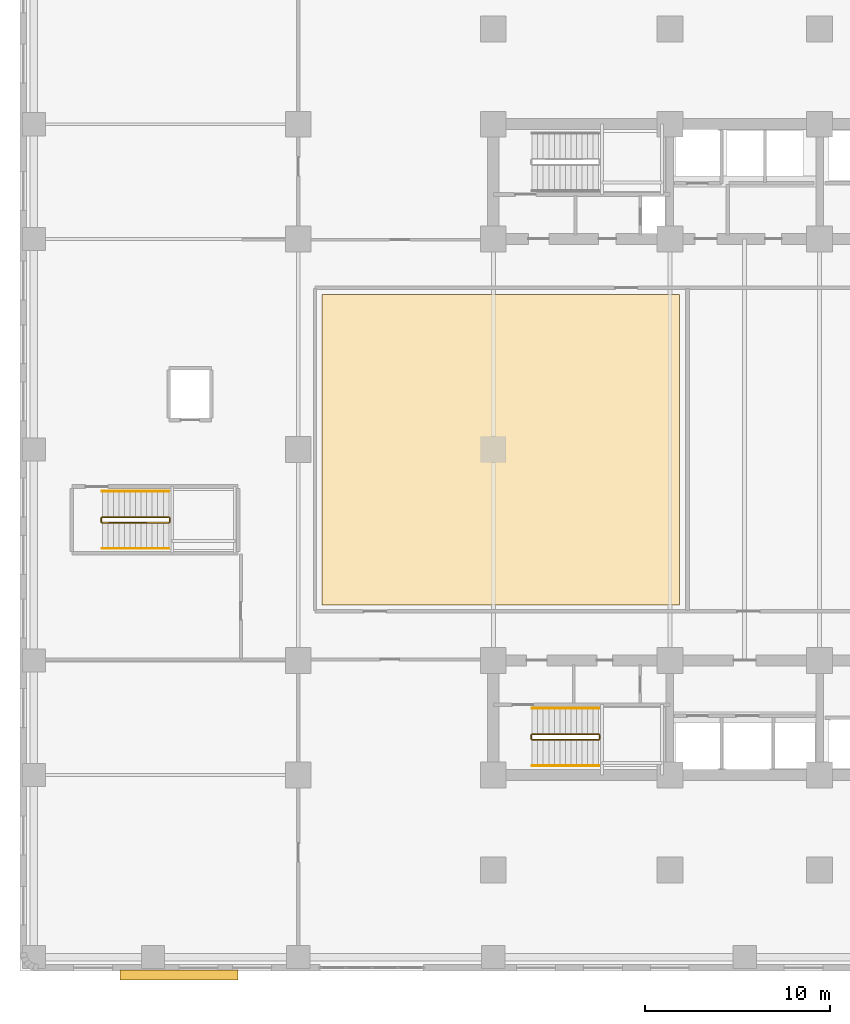
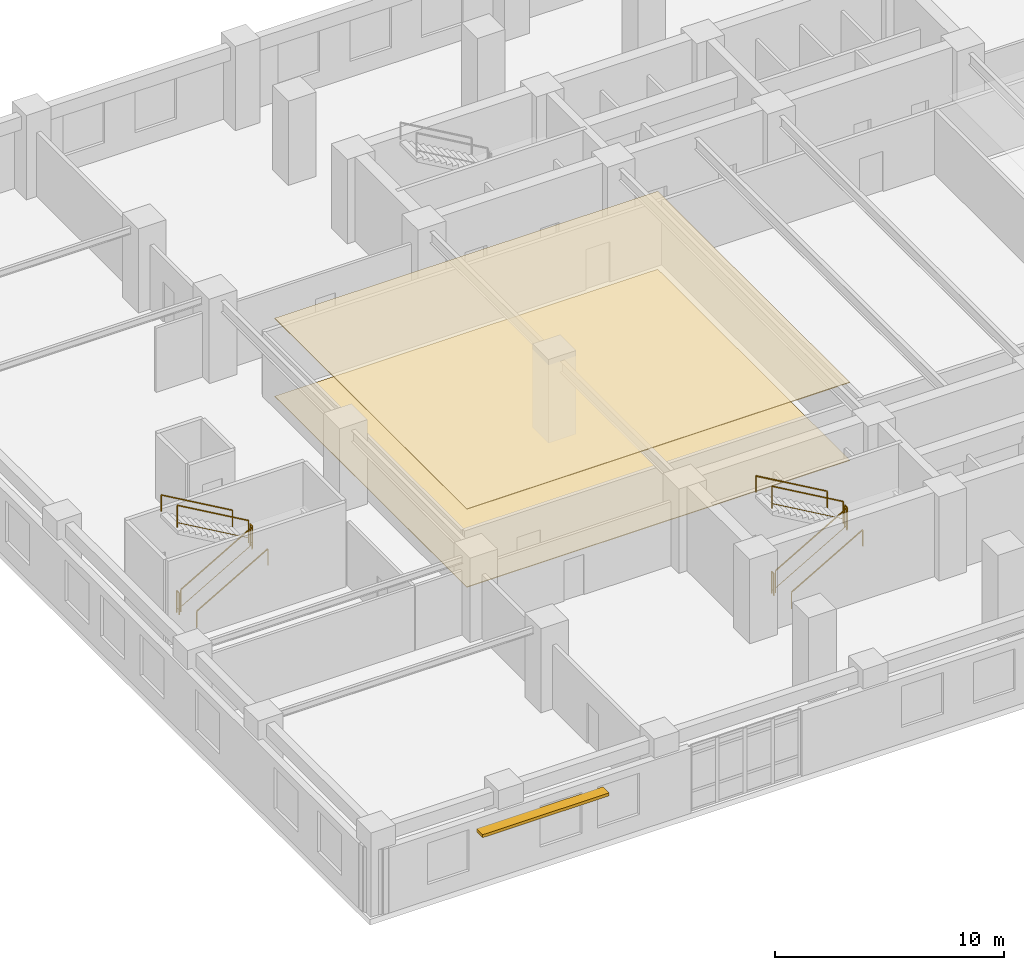
# One storey, part 12 of 15: 12 railings, 2 coverings, 1 shading device.
"""IFC4 building model written with IfcOpenShell, lengths in metres."""

from ifc_helpers import new_model, si_unit, direction, frame, origin, origin_2d, place, context, subcontext, project, spatial, polyline, rectangle, outline, extrude, material, layer, layer_set, type_object, element, save


model = new_model("IFC4")

# Units and contexts
model_context = context("Model", 3, precision=1e-05, world=origin(), true_north=direction((0.0, 1.0)))
body_context = subcontext(model_context, "Body", "Model", "MODEL_VIEW")
ifc_project = project(units=[si_unit("LENGTHUNIT", "METRE"), si_unit("AREAUNIT", "SQUARE_METRE"), si_unit("VOLUMEUNIT", "CUBIC_METRE"), si_unit("PLANEANGLEUNIT", "RADIAN"), si_unit("MASSUNIT", "GRAM", prefix="KILO")], contexts=[model_context])

# Site, building, storey
site_placement = place(None, origin())
site = spatial("IfcSite", under=ifc_project, at=site_placement, CompositionType="ELEMENT")
building_placement = place(site_placement, origin())
building = spatial("IfcBuilding", under=site, at=building_placement, Name="Svetorya Sky Lyceum", CompositionType="ELEMENT")
storey_placement = place(building_placement, frame((0.0, 0.0, 6.60009765625)))
storey = spatial("IfcBuildingStorey", under=building, at=storey_placement, Name="L01", CompositionType="ELEMENT", Elevation=6.60009765625)

# Coverings
ifc_material_1 = material(Name="Anodized aluminium linear acoustic ceiling baffle", Category="aluminium")
ifc_layer_1 = layer(ifc_material_1, 0.0400390625)
ifc_layer_set_1 = layer_set([ifc_layer_1], Name="Anodized aluminium linear acoustic ceiling baffle")
covering_type_1 = type_object("IfcCoveringType", Name="COV-CLG-BAF40", PredefinedType="CEILING", material=ifc_layer_set_1)
covering_1_placement = place(storey_placement, frame((0.0, 0.0, 4.159912109375)))
element("IfcCovering", 1, at=covering_1_placement, inside=storey, type_object=covering_type_1, Name="Student Dining Canteen Hall Acoustic Ceiling", PredefinedType="CEILING", context=body_context, shape_type="SweptSolid", body=[
    extrude(outline(polyline([(16.330078125, 19.800048828125), (35.669921875, 19.800048828125), (35.669921875, 36.60009765625), (16.330078125, 36.60009765625), (16.330078125, 19.800048828125)])), origin(), (0.0, 0.0, 1.0), 0.0400390625),
])
ifc_material_2 = material(Name="Flamed granite slip-resistant lobby flooring", Category="masonry")
ifc_layer_2 = layer(ifc_material_2, 0.034912109375)
ifc_layer_set_2 = layer_set([ifc_layer_2], Name="Flamed granite slip-resistant lobby flooring")
covering_type_2 = type_object("IfcCoveringType", Name="COV-FLR-GRN", PredefinedType="FLOORING", material=ifc_layer_set_2)
covering_2_placement = place(storey_placement, origin())
element("IfcCovering", 2, at=covering_2_placement, inside=storey, type_object=covering_type_2, Name="Student Dining Canteen Hall Architectural Flooring", PredefinedType="FLOORING", context=body_context, shape_type="SweptSolid", body=[
    extrude(outline(polyline([(16.330078125, 19.800048828125), (35.669921875, 19.800048828125), (35.669921875, 36.60009765625), (16.330078125, 36.60009765625), (16.330078125, 19.800048828125)])), origin(), (0.0, 0.0, 1.0), 0.034912109375),
])

# Railings
ifc_material_3 = material(Name="Painted galvanized stair well guard")
railing_type_1 = type_object("IfcRailingType", Name="RL-STR-GUARD-1200", PredefinedType="GUARDRAIL", material=ifc_material_3)
railing_1_placement = place(storey_placement, frame((27.699951171875, 12.5, 0.173095703125)))
element("IfcRailing", 3, at=railing_1_placement, inside=storey, type_object=railing_type_1, Name="L01 ST-S stair guard 1", PredefinedType="GUARDRAIL", context=body_context, shape_type="SweptSolid", body=[
    extrude(rectangle(XDim=0.048095703125, YDim=0.048095703125, at=origin_2d()), frame((0.0, 0.0, 1.17578125), z_axis=(0.866193409371, 0.0, 0.499708892819), x_axis=(0.0, 1.0, 0.0)), (0.0, 0.0, 1.0), 4.15625),
    extrude(rectangle(XDim=0.02392578125, YDim=0.02392578125, at=origin_2d()), frame((0.0, 0.0, 0.25), z_axis=(0.866193409371, 0.0, 0.499708892819), x_axis=(0.0, 1.0, 0.0)), (0.0, 0.0, 1.0), 4.15625),
    extrude(rectangle(XDim=0.0419921875, YDim=0.0419921875, at=origin_2d()), origin(), (0.0, 0.0, 1.0), 1.15185546875),
    extrude(rectangle(XDim=0.0419921875, YDim=0.0419921875, at=origin_2d()), frame((3.60009765625, 0.0, 2.076904296875)), (0.0, 0.0, 1.0), 1.15185546875),
])
railing_2_placement = place(storey_placement, frame((31.35009765625, 12.550048828125, 2.25)))
element("IfcRailing", 4, at=railing_2_placement, inside=storey, type_object=railing_type_1, Name="L01 ST-S stair guard 2", PredefinedType="GUARDRAIL", context=body_context, shape_type="SweptSolid", body=[
    extrude(rectangle(XDim=0.048095703125, YDim=0.048095703125, at=origin_2d()), frame((0.0, 0.0, 1.17578125), z_axis=(0.0, 1.0, 0.0), x_axis=(-1.0, 0.0, 0.0)), (0.0, 0.0, 1.0), 0.199951171875),
    extrude(rectangle(XDim=0.02392578125, YDim=0.02392578125, at=origin_2d()), frame((0.0, 0.0, 0.25), z_axis=(0.0, 1.0, 0.0), x_axis=(-1.0, 0.0, 0.0)), (0.0, 0.0, 1.0), 0.199951171875),
    extrude(rectangle(XDim=0.0419921875, YDim=0.0419921875, at=origin_2d()), origin(), (0.0, 0.0, 1.0), 1.15185546875),
    extrude(rectangle(XDim=0.0419921875, YDim=0.0419921875, at=origin_2d()), frame((0.0, 0.199951171875, 0.0)), (0.0, 0.0, 1.0), 1.15185546875),
])
railing_3_placement = place(storey_placement, frame((31.300048828125, 12.800048828125, 2.423095703125)))
element("IfcRailing", 5, at=railing_3_placement, inside=storey, type_object=railing_type_1, Name="L01 ST-S stair guard 3", PredefinedType="GUARDRAIL", context=body_context, shape_type="SweptSolid", body=[
    extrude(rectangle(XDim=0.048095703125, YDim=0.048095703125, at=origin_2d()), frame((0.0, 0.0, 1.17578125), z_axis=(-0.866193409371, 0.0, 0.499708892819), x_axis=(0.0, -1.0, 0.0)), (0.0, 0.0, 1.0), 4.15625),
    extrude(rectangle(XDim=0.02392578125, YDim=0.02392578125, at=origin_2d()), frame((0.0, 0.0, 0.25), z_axis=(-0.866193409371, 0.0, 0.499708892819), x_axis=(0.0, -1.0, 0.0)), (0.0, 0.0, 1.0), 4.15625),
    extrude(rectangle(XDim=0.0419921875, YDim=0.0419921875, at=origin_2d()), origin(), (0.0, 0.0, 1.0), 1.15185546875),
    extrude(rectangle(XDim=0.0419921875, YDim=0.0419921875, at=origin_2d()), frame((-3.60009765625, 0.0, 2.076904296875)), (0.0, 0.0, 1.0), 1.15185546875),
])
railing_4_placement = place(storey_placement, frame((27.64990234375, 12.550048828125, 0.0)))
element("IfcRailing", 6, at=railing_4_placement, inside=storey, type_object=railing_type_1, Name="L01 ST-S stair guard 4", PredefinedType="GUARDRAIL", context=body_context, shape_type="SweptSolid", body=[
    extrude(rectangle(XDim=0.048095703125, YDim=0.048095703125, at=origin_2d()), frame((0.0, 0.0, 1.17578125), z_axis=(0.0, 1.0, 0.0), x_axis=(-1.0, 0.0, 0.0)), (0.0, 0.0, 1.0), 0.199951171875),
    extrude(rectangle(XDim=0.02392578125, YDim=0.02392578125, at=origin_2d()), frame((0.0, 0.0, 0.25), z_axis=(0.0, 1.0, 0.0), x_axis=(-1.0, 0.0, 0.0)), (0.0, 0.0, 1.0), 0.199951171875),
    extrude(rectangle(XDim=0.0419921875, YDim=0.0419921875, at=origin_2d()), origin(), (0.0, 0.0, 1.0), 1.15185546875),
    extrude(rectangle(XDim=0.0419921875, YDim=0.0419921875, at=origin_2d()), frame((0.0, 0.199951171875, 0.0)), (0.0, 0.0, 1.0), 1.15185546875),
])
railing_5_placement = place(storey_placement, frame((4.449951171875, 24.25, 0.173095703125)))
element("IfcRailing", 7, at=railing_5_placement, inside=storey, type_object=railing_type_1, Name="L01 ST-SCH-W stair guard 1", PredefinedType="GUARDRAIL", context=body_context, shape_type="SweptSolid", body=[
    extrude(rectangle(XDim=0.048095703125, YDim=0.048095703125, at=origin_2d()), frame((0.0, 0.0, 1.17578125), z_axis=(0.866193409371, 0.0, 0.499708892819), x_axis=(0.0, 1.0, 0.0)), (0.0, 0.0, 1.0), 4.15625),
    extrude(rectangle(XDim=0.02392578125, YDim=0.02392578125, at=origin_2d()), frame((0.0, 0.0, 0.25), z_axis=(0.866193409371, 0.0, 0.499708892819), x_axis=(0.0, 1.0, 0.0)), (0.0, 0.0, 1.0), 4.15625),
    extrude(rectangle(XDim=0.0419921875, YDim=0.0419921875, at=origin_2d()), origin(), (0.0, 0.0, 1.0), 1.15185546875),
    extrude(rectangle(XDim=0.0419921875, YDim=0.0419921875, at=origin_2d()), frame((3.60009765625, 0.0, 2.076904296875)), (0.0, 0.0, 1.0), 1.15185546875),
])
railing_6_placement = place(storey_placement, frame((8.10009765625, 24.300048828125, 2.25)))
element("IfcRailing", 8, at=railing_6_placement, inside=storey, type_object=railing_type_1, Name="L01 ST-SCH-W stair guard 2", PredefinedType="GUARDRAIL", context=body_context, shape_type="SweptSolid", body=[
    extrude(rectangle(XDim=0.048095703125, YDim=0.048095703125, at=origin_2d()), frame((0.0, 0.0, 1.17578125), z_axis=(0.0, 1.0, 0.0), x_axis=(-1.0, 0.0, 0.0)), (0.0, 0.0, 1.0), 0.199951171875),
    extrude(rectangle(XDim=0.02392578125, YDim=0.02392578125, at=origin_2d()), frame((0.0, 0.0, 0.25), z_axis=(0.0, 1.0, 0.0), x_axis=(-1.0, 0.0, 0.0)), (0.0, 0.0, 1.0), 0.199951171875),
    extrude(rectangle(XDim=0.0419921875, YDim=0.0419921875, at=origin_2d()), origin(), (0.0, 0.0, 1.0), 1.15185546875),
    extrude(rectangle(XDim=0.0419921875, YDim=0.0419921875, at=origin_2d()), frame((0.0, 0.199951171875, 0.0)), (0.0, 0.0, 1.0), 1.15185546875),
])
railing_7_placement = place(storey_placement, frame((8.050048828125, 24.550048828125, 2.423095703125)))
element("IfcRailing", 9, at=railing_7_placement, inside=storey, type_object=railing_type_1, Name="L01 ST-SCH-W stair guard 3", PredefinedType="GUARDRAIL", context=body_context, shape_type="SweptSolid", body=[
    extrude(rectangle(XDim=0.048095703125, YDim=0.048095703125, at=origin_2d()), frame((0.0, 0.0, 1.17578125), z_axis=(-0.866193409371, 0.0, 0.499708892819), x_axis=(0.0, -1.0, 0.0)), (0.0, 0.0, 1.0), 4.15625),
    extrude(rectangle(XDim=0.02392578125, YDim=0.02392578125, at=origin_2d()), frame((0.0, 0.0, 0.25), z_axis=(-0.866193409371, 0.0, 0.499708892819), x_axis=(0.0, -1.0, 0.0)), (0.0, 0.0, 1.0), 4.15625),
    extrude(rectangle(XDim=0.0419921875, YDim=0.0419921875, at=origin_2d()), origin(), (0.0, 0.0, 1.0), 1.15185546875),
    extrude(rectangle(XDim=0.0419921875, YDim=0.0419921875, at=origin_2d()), frame((-3.60009765625, 0.0, 2.076904296875)), (0.0, 0.0, 1.0), 1.15185546875),
])
railing_8_placement = place(storey_placement, frame((4.39990234375, 24.300048828125, 0.0)))
element("IfcRailing", 10, at=railing_8_placement, inside=storey, type_object=railing_type_1, Name="L01 ST-SCH-W stair guard 4", PredefinedType="GUARDRAIL", context=body_context, shape_type="SweptSolid", body=[
    extrude(rectangle(XDim=0.048095703125, YDim=0.048095703125, at=origin_2d()), frame((0.0, 0.0, 1.17578125), z_axis=(0.0, 1.0, 0.0), x_axis=(-1.0, 0.0, 0.0)), (0.0, 0.0, 1.0), 0.199951171875),
    extrude(rectangle(XDim=0.02392578125, YDim=0.02392578125, at=origin_2d()), frame((0.0, 0.0, 0.25), z_axis=(0.0, 1.0, 0.0), x_axis=(-1.0, 0.0, 0.0)), (0.0, 0.0, 1.0), 0.199951171875),
    extrude(rectangle(XDim=0.0419921875, YDim=0.0419921875, at=origin_2d()), origin(), (0.0, 0.0, 1.0), 1.15185546875),
    extrude(rectangle(XDim=0.0419921875, YDim=0.0419921875, at=origin_2d()), frame((0.0, 0.199951171875, 0.0)), (0.0, 0.0, 1.0), 1.15185546875),
])
ifc_material_4 = material(Name="Brushed stainless AISI 304 stair handrail")
railing_type_2 = type_object("IfcRailingType", Name="RL-STR-HAND-920", PredefinedType="HANDRAIL", material=ifc_material_4)
railing_9_placement = place(storey_placement, frame((27.699951171875, 11.10009765625, 0.173095703125)))
element("IfcRailing", 11, at=railing_9_placement, inside=storey, type_object=railing_type_2, Name="L01 ST-S stair handrail 1", PredefinedType="HANDRAIL", context=body_context, shape_type="SweptSolid", body=[
    extrude(rectangle(XDim=0.048095703125, YDim=0.048095703125, at=origin_2d()), frame((0.0, 0.0, 0.8759765625), z_axis=(0.866193409371, 0.0, 0.499708892819), x_axis=(0.0, 1.0, 0.0)), (0.0, 0.0, 1.0), 4.15625),
    extrude(rectangle(XDim=0.0419921875, YDim=0.0419921875, at=origin_2d()), origin(), (0.0, 0.0, 1.0), 0.851806640625),
    extrude(rectangle(XDim=0.0419921875, YDim=0.0419921875, at=origin_2d()), frame((3.60009765625, 0.0, 2.076904296875)), (0.0, 0.0, 1.0), 0.851806640625),
])
railing_10_placement = place(storey_placement, frame((31.300048828125, 14.199951171875, 2.423095703125)))
element("IfcRailing", 12, at=railing_10_placement, inside=storey, type_object=railing_type_2, Name="L01 ST-S stair handrail 2", PredefinedType="HANDRAIL", context=body_context, shape_type="SweptSolid", body=[
    extrude(rectangle(XDim=0.048095703125, YDim=0.048095703125, at=origin_2d()), frame((0.0, 0.0, 0.8759765625), z_axis=(-0.866193409371, 0.0, 0.499708892819), x_axis=(0.0, -1.0, 0.0)), (0.0, 0.0, 1.0), 4.15625),
    extrude(rectangle(XDim=0.0419921875, YDim=0.0419921875, at=origin_2d()), origin(), (0.0, 0.0, 1.0), 0.851806640625),
    extrude(rectangle(XDim=0.0419921875, YDim=0.0419921875, at=origin_2d()), frame((-3.60009765625, 0.0, 2.076904296875)), (0.0, 0.0, 1.0), 0.851806640625),
])
railing_11_placement = place(storey_placement, frame((4.449951171875, 22.85009765625, 0.173095703125)))
element("IfcRailing", 13, at=railing_11_placement, inside=storey, type_object=railing_type_2, Name="L01 ST-SCH-W stair handrail 1", PredefinedType="HANDRAIL", context=body_context, shape_type="SweptSolid", body=[
    extrude(rectangle(XDim=0.048095703125, YDim=0.048095703125, at=origin_2d()), frame((0.0, 0.0, 0.8759765625), z_axis=(0.866193409371, 0.0, 0.499708892819), x_axis=(0.0, 1.0, 0.0)), (0.0, 0.0, 1.0), 4.15625),
    extrude(rectangle(XDim=0.0419921875, YDim=0.0419921875, at=origin_2d()), origin(), (0.0, 0.0, 1.0), 0.851806640625),
    extrude(rectangle(XDim=0.0419921875, YDim=0.0419921875, at=origin_2d()), frame((3.60009765625, 0.0, 2.076904296875)), (0.0, 0.0, 1.0), 0.851806640625),
])
railing_12_placement = place(storey_placement, frame((8.050048828125, 25.949951171875, 2.423095703125)))
element("IfcRailing", 14, at=railing_12_placement, inside=storey, type_object=railing_type_2, Name="L01 ST-SCH-W stair handrail 2", PredefinedType="HANDRAIL", context=body_context, shape_type="SweptSolid", body=[
    extrude(rectangle(XDim=0.048095703125, YDim=0.048095703125, at=origin_2d()), frame((0.0, 0.0, 0.8759765625), z_axis=(-0.866193409371, 0.0, 0.499708892819), x_axis=(0.0, -1.0, 0.0)), (0.0, 0.0, 1.0), 4.15625),
    extrude(rectangle(XDim=0.0419921875, YDim=0.0419921875, at=origin_2d()), origin(), (0.0, 0.0, 1.0), 0.851806640625),
    extrude(rectangle(XDim=0.0419921875, YDim=0.0419921875, at=origin_2d()), frame((-3.60009765625, 0.0, 2.076904296875)), (0.0, 0.0, 1.0), 0.851806640625),
])

# Shading device
ifc_material_5 = material(Name="Champagne-anodized extruded aluminium sunshade", Category="aluminium")
ifc_layer_3 = layer(ifc_material_5, 0.159912109375)
ifc_layer_set_3 = layer_set([ifc_layer_3], Name="Champagne-anodized extruded aluminium sunshade")
shading_device_type = type_object("IfcShadingDeviceType", Name="SHD-LVR-540", PredefinedType="AWNING", material=ifc_layer_set_3)
shading_device_placement = place(storey_placement, frame((8.60498046875, -0.219970703125, 2.77001953125), z_axis=(0.0, 0.0, 1.0), x_axis=(1.0, 0.0, 0.0)))
element("IfcShadingDevice", 15, at=shading_device_placement, inside=storey, type_object=shading_device_type, Name="L01 Solar Brise-Soleil SHD-1.6A", PredefinedType="AWNING", context=body_context, shape_type="SweptSolid", body=[
    extrude(rectangle(XDim=6.39990234375, YDim=0.5400390625, at=origin_2d()), origin(), (0.0, 0.0, 1.0), 0.159912109375),
])

save(model, "model.ifc")
